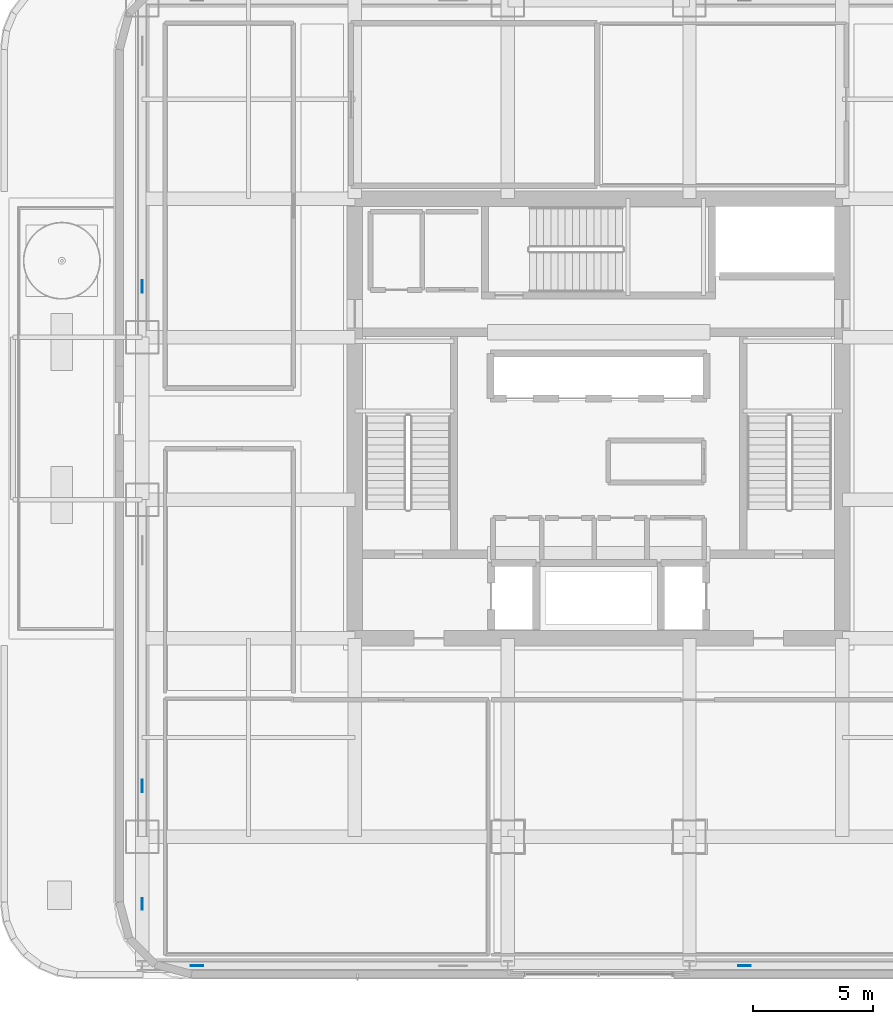
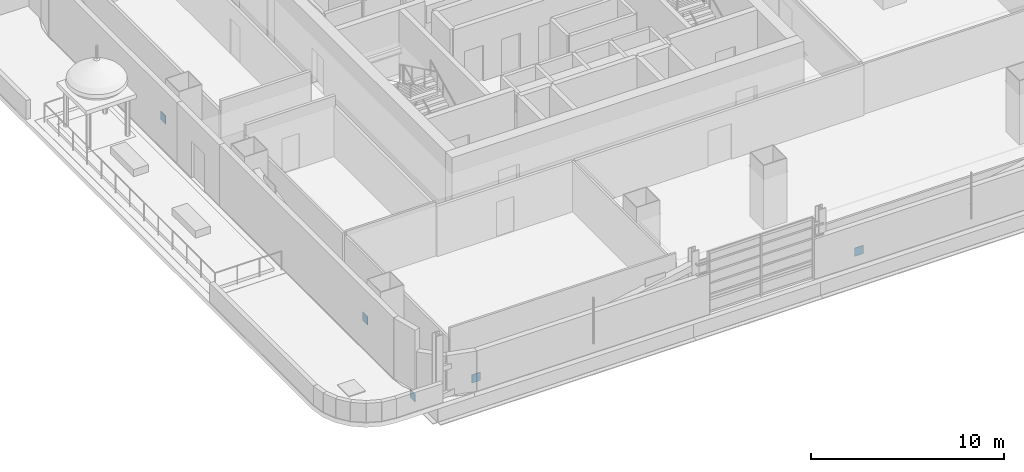
# One storey, part 8 of 27: 5 plates.
"""IFC4 building model written with IfcOpenShell, lengths in metres."""

from ifc_helpers import new_model, si_unit, direction, frame, origin, origin_2d, place, context, subcontext, project, spatial, rectangle, extrude, material, layer, layer_set, type_object, element, save


model = new_model("IFC4")

# Units and contexts
model_context = context("Model", 3, precision=1e-05, world=origin(), true_north=direction((0.0, 1.0)))
body_context = subcontext(model_context, "Body", "Model", "MODEL_VIEW")
ifc_project = project(units=[si_unit("LENGTHUNIT", "METRE"), si_unit("AREAUNIT", "SQUARE_METRE"), si_unit("VOLUMEUNIT", "CUBIC_METRE"), si_unit("PLANEANGLEUNIT", "RADIAN"), si_unit("MASSUNIT", "GRAM", prefix="KILO")], contexts=[model_context])

# Site, building, storey
site_placement = place(None, origin())
site = spatial("IfcSite", under=ifc_project, at=site_placement, CompositionType="ELEMENT")
building_placement = place(site_placement, origin())
building = spatial("IfcBuilding", under=site, at=building_placement, Name="Punatoya Terracotta Tower", CompositionType="ELEMENT")
storey_placement = place(building_placement, frame((0.0, 0.0, 204.60009765625)))
storey = spatial("IfcBuildingStorey", under=building, at=storey_placement, Name="L48", CompositionType="ELEMENT", Elevation=204.60009765625)

# Plates
ifc_material = material(Name="Steel S460", Category="steel")
ifc_layer = layer(ifc_material, 0.031982421875)
ifc_layer_set = layer_set([ifc_layer], Name="Steel S460")
plate_type = type_object("IfcPlateType", Name="PLT-END-32", PredefinedType="USERDEFINED", material=ifc_layer_set)
for number, where, z_axis, x_axis, name in (
    (1, (-16.804931640625, -22.89990234375, 0.21142578125), (0.0, 0.0, 1.0), (1.0, 0.0, 0.0), "L48 Exoskeleton Base Node Plate S1"),
    (2, (6.094970703125, -22.89990234375, 0.21142578125), (0.0, 0.0, 1.0), (1.0, 0.0, 0.0), "L48 Exoskeleton Base Node Plate S3"),
    (3, (-19.10009765625, -15.385009765625, 0.21142578125), (0.0, 0.0, 1.0), (0.0, 1.0, 0.0), "L48 Exoskeleton Base Node Plate W1"),
    (4, (-19.10009765625, 5.514892578125, 0.21142578125), (0.0, 0.0, 1.0), (0.0, 1.0, 0.0), "L48 Exoskeleton Base Node Plate W3"),
):
    element("IfcPlate", number, at=place(storey_placement, frame(where, z_axis=z_axis, x_axis=x_axis)), inside=storey, type_object=plate_type, Name=name, ObjectType="FLANGE_PLATE", PredefinedType="USERDEFINED", context=body_context, shape_type="SweptSolid", body=[
        extrude(rectangle(XDim=0.52001953125, YDim=0.031982421875, at=origin_2d()), origin(), (0.0, 0.0, 1.0), 0.52001953125),
    ])
plate_placement = place(storey_placement, frame((-19.10009765625, -20.31591796875, -1.68408203125), z_axis=(0.0, 0.0, 1.0), x_axis=(0.0, 1.0, 0.0)))
element("IfcPlate", 5, at=plate_placement, inside=storey, type_object=plate_type, Name="L48 Knee-Strut Upper End Cap Plate S1", ObjectType="FLANGE_PLATE", PredefinedType="USERDEFINED", context=body_context, shape_type="SweptSolid", body=[
    extrude(rectangle(XDim=0.5, YDim=0.031982421875, at=origin_2d()), origin(), (0.0, 0.0, 1.0), 0.5),
])

save(model, "model.ifc")
